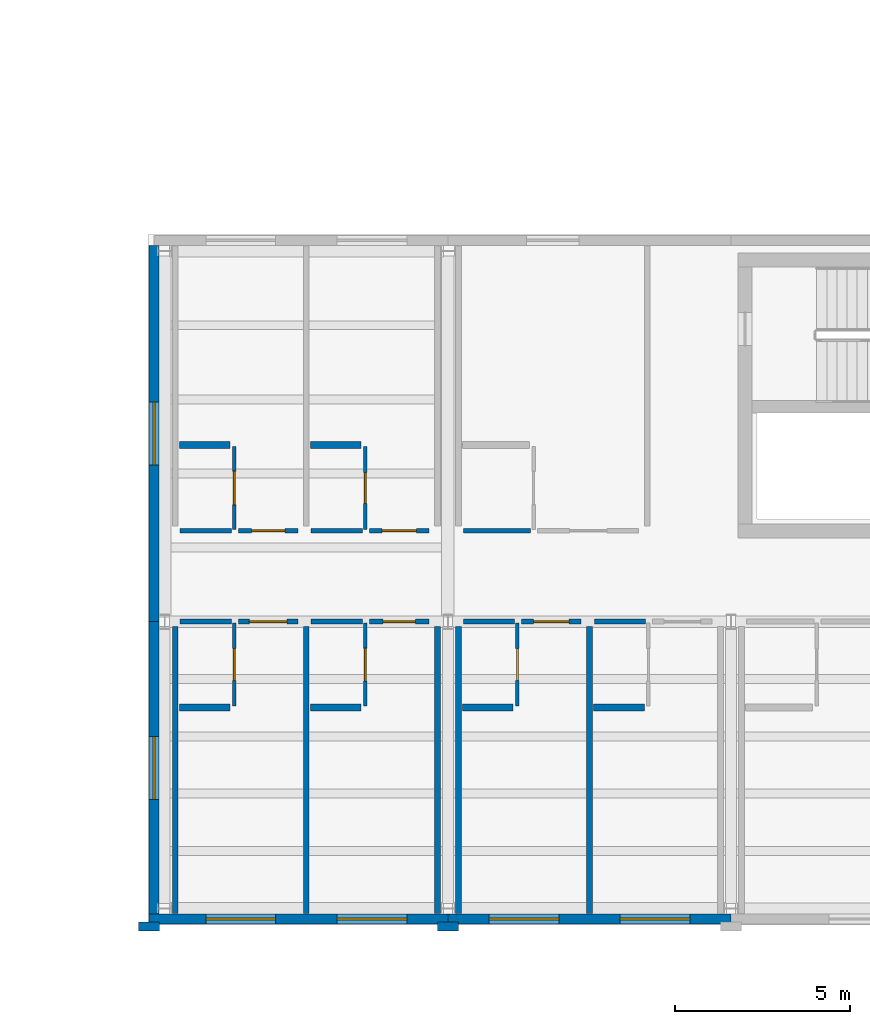
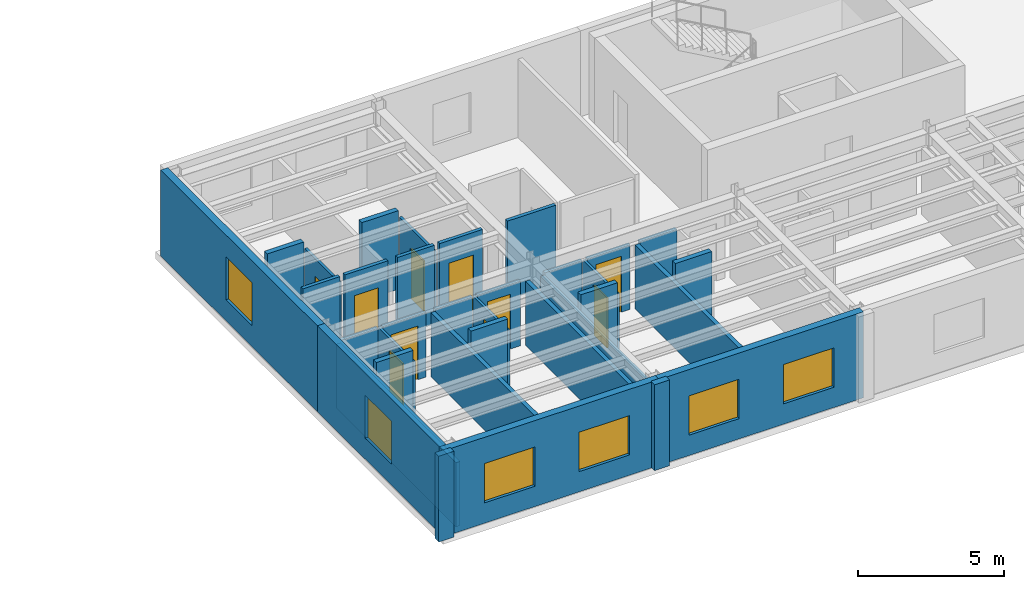
# One storey, part 14 of 34: 34 walls, 10 doors, 6 windows, 16 openings.
"""IFC4 building model written with IfcOpenShell, lengths in metres."""

from ifc_helpers import new_model, si_unit, direction, frame, frame_2d, origin, place, context, subcontext, project, spatial, rectangle, extrude, material, layer, layer_set, type_object, element, fill, save


model = new_model("IFC4")

# Units and contexts
model_context = context("Model", 3, precision=1e-05, world=origin(), true_north=direction((0.0, 1.0)))
body_context = subcontext(model_context, "Body", "Model", "MODEL_VIEW")
ifc_project = project(units=[si_unit("LENGTHUNIT", "METRE"), si_unit("AREAUNIT", "SQUARE_METRE"), si_unit("VOLUMEUNIT", "CUBIC_METRE"), si_unit("PLANEANGLEUNIT", "RADIAN"), si_unit("MASSUNIT", "GRAM", prefix="KILO")], contexts=[model_context])

# Site, building, storey
site_placement = place(None, origin())
site = spatial("IfcSite", under=ifc_project, at=site_placement, CompositionType="ELEMENT")
building_placement = place(site_placement, origin())
building = spatial("IfcBuilding", under=site, at=building_placement, Name="Sollismere Congress Hotel", CompositionType="ELEMENT")
storey_placement = place(building_placement, frame((0.0, 0.0, 23.39990234375)))
storey = spatial("IfcBuildingStorey", under=building, at=storey_placement, Name="L05", CompositionType="ELEMENT", Elevation=23.39990234375)

# Wall, openings, windows
ifc_material_1 = material(Name="Colorado Buff Sandstone Rainscreen on Insulated Backup", Category="masonry")
ifc_layer_1 = layer(ifc_material_1, 0.284912109375, Name="Colorado Buff Sandstone Rainscreen on Insulated Backup")
ifc_layer_set_1 = layer_set([ifc_layer_1], Name="Colorado Buff Sandstone Rainscreen on Insulated Backup")
wall_type_1 = type_object("IfcWallType", Name="WL-EXT285", PredefinedType="STANDARD", material=ifc_layer_set_1)
wall_1_placement = place(storey_placement, frame((33.75, -0.31005859375, 0.0), z_axis=(0.0, 0.0, 1.0), x_axis=(1.0, 0.0, 0.0)))
wall_1 = element("IfcWall", 1, at=wall_1_placement, inside=storey, type_object=wall_type_1, Name="Exterior wall EW-L05-565", PredefinedType="STANDARD", context=body_context, shape_type="SweptSolid", body=[
    extrude(rectangle(XDim=8.550048828125, YDim=0.284912109375, at=frame_2d((4.27490234375, 0.0))), origin(), (0.0, 0.0, 1.0), 3.60009765625),
])
opening_1_placement = place(wall_1_placement, frame((1.625, 0.0, 0.85009765625)))
opening_1 = element("IfcOpeningElement", 2, at=opening_1_placement, cuts=wall_1, Name="Opening W-L05-425", PredefinedType="OPENING", context=body_context, shape_type="SweptSolid", body=[
    extrude(rectangle(XDim=2.0, YDim=1.64990234375, at=frame_2d((1.0, 0.824951171875))), frame((0.0, 0.15234375, 0.0), z_axis=(0.0, -1.0, 0.0), x_axis=(1.0, 0.0, 0.0)), (0.0, 0.0, 1.0), 0.304931640625),
])
opening_2_placement = place(wall_1_placement, frame((5.375, 0.0, 0.85009765625)))
opening_2 = element("IfcOpeningElement", 3, at=opening_2_placement, cuts=wall_1, Name="Opening W-L05-426", PredefinedType="OPENING", context=body_context, shape_type="SweptSolid", body=[
    extrude(rectangle(XDim=2.0, YDim=1.64990234375, at=frame_2d((1.0, 0.824951171875))), frame((0.0, 0.15234375, 0.0), z_axis=(0.0, -1.0, 0.0), x_axis=(1.0, 0.0, 0.0)), (0.0, 0.0, 1.0), 0.304931640625),
])
ifc_material_2 = material(Name="Thermally Broken Bronze Aluminum & Low-E Glass", Category="aluminium")
window_type_1 = type_object("IfcWindowType", Name="WN-P200x165", PartitioningType="SINGLE_PANEL", PredefinedType="WINDOW", material=ifc_material_2)
window_1_placement = place(opening_1_placement, origin())
window_1 = element("IfcWindow", 4, at=window_1_placement, inside=storey, type_object=window_type_1, Name="WIN-W-L05-425", OverallHeight=1.64990234375, OverallWidth=2.0, PartitioningType="SINGLE_PANEL", PredefinedType="WINDOW", context=body_context, shape_type="SweptSolid", body=[
    extrude(rectangle(XDim=2.0, YDim=1.64990234375, at=frame_2d((1.0, 0.824951171875))), frame((0.0, 0.030029296875, 0.0), z_axis=(0.0, -1.0, 0.0), x_axis=(1.0, 0.0, 0.0)), (0.0, 0.0, 1.0), 0.06005859375),
])
fill(opening_1, window_1)
window_2_placement = place(opening_2_placement, origin())
window_2 = element("IfcWindow", 5, at=window_2_placement, inside=storey, type_object=window_type_1, Name="WIN-W-L05-426", OverallHeight=1.64990234375, OverallWidth=2.0, PartitioningType="SINGLE_PANEL", PredefinedType="WINDOW", context=body_context, shape_type="SweptSolid", body=[
    extrude(rectangle(XDim=2.0, YDim=1.64990234375, at=frame_2d((1.0, 0.824951171875))), frame((0.0, 0.030029296875, 0.0), z_axis=(0.0, -1.0, 0.0), x_axis=(1.0, 0.0, 0.0)), (0.0, 0.0, 1.0), 0.06005859375),
])
fill(opening_2, window_2)

wall_2_placement = place(storey_placement, frame((42.300048828125, -0.31005859375, 0.0), z_axis=(0.0, 0.0, 1.0), x_axis=(1.0, 0.0, 0.0)))
wall_2 = element("IfcWall", 6, at=wall_2_placement, inside=storey, type_object=wall_type_1, Name="Exterior wall EW-L05-567", PredefinedType="STANDARD", context=body_context, shape_type="SweptSolid", body=[
    extrude(rectangle(XDim=8.099853515625, YDim=0.284912109375, at=frame_2d((4.0498046875, 0.0))), origin(), (0.0, 0.0, 1.0), 3.60009765625),
])
opening_3_placement = place(wall_2_placement, frame((1.175048828125, 0.0, 0.85009765625)))
opening_3 = element("IfcOpeningElement", 7, at=opening_3_placement, cuts=wall_2, Name="Opening W-L05-427", PredefinedType="OPENING", context=body_context, shape_type="SweptSolid", body=[
    extrude(rectangle(XDim=2.0, YDim=1.64990234375, at=frame_2d((1.0, 0.824951171875))), frame((0.0, 0.15234375, 0.0), z_axis=(0.0, -1.0, 0.0), x_axis=(1.0, 0.0, 0.0)), (0.0, 0.0, 1.0), 0.304931640625),
])
opening_4_placement = place(wall_2_placement, frame((4.925048828125, 0.0, 0.85009765625)))
opening_4 = element("IfcOpeningElement", 8, at=opening_4_placement, cuts=wall_2, Name="Opening W-L05-428", PredefinedType="OPENING", context=body_context, shape_type="SweptSolid", body=[
    extrude(rectangle(XDim=2.0, YDim=1.64990234375, at=frame_2d((1.0, 0.824951171875))), frame((0.0, 0.15234375, 0.0), z_axis=(0.0, -1.0, 0.0), x_axis=(1.0, 0.0, 0.0)), (0.0, 0.0, 1.0), 0.304931640625),
])
window_3_placement = place(opening_3_placement, origin())
window_3 = element("IfcWindow", 9, at=window_3_placement, inside=storey, type_object=window_type_1, Name="WIN-W-L05-427", OverallHeight=1.64990234375, OverallWidth=2.0, PartitioningType="SINGLE_PANEL", PredefinedType="WINDOW", context=body_context, shape_type="SweptSolid", body=[
    extrude(rectangle(XDim=2.0, YDim=1.64990234375, at=frame_2d((1.0, 0.824951171875))), frame((0.0, 0.030029296875, 0.0), z_axis=(0.0, -1.0, 0.0), x_axis=(1.0, 0.0, 0.0)), (0.0, 0.0, 1.0), 0.06005859375),
])
fill(opening_3, window_3)
window_4_placement = place(opening_4_placement, origin())
window_4 = element("IfcWindow", 10, at=window_4_placement, inside=storey, type_object=window_type_1, Name="WIN-W-L05-428", OverallHeight=1.64990234375, OverallWidth=2.0, PartitioningType="SINGLE_PANEL", PredefinedType="WINDOW", context=body_context, shape_type="SweptSolid", body=[
    extrude(rectangle(XDim=2.0, YDim=1.64990234375, at=frame_2d((1.0, 0.824951171875))), frame((0.0, 0.030029296875, 0.0), z_axis=(0.0, -1.0, 0.0), x_axis=(1.0, 0.0, 0.0)), (0.0, 0.0, 1.0), 0.06005859375),
])
fill(opening_4, window_4)

# Wall, opening, window
wall_3_placement = place(storey_placement, frame((33.889892578125, 8.199951171875, 0.0), z_axis=(0.0, 0.0, 1.0), x_axis=(0.0, -1.0, 0.0)))
wall_3 = element("IfcWall", 11, at=wall_3_placement, inside=storey, type_object=wall_type_1, Name="Exterior wall EW-L05-648", PredefinedType="STANDARD", context=body_context, shape_type="SweptSolid", body=[
    extrude(rectangle(XDim=8.365478515625, YDim=0.284912109375, at=frame_2d((4.1826171875, 0.0))), origin(), (0.0, 0.0, 1.0), 3.60009765625),
])
opening_5_placement = place(wall_3_placement, frame((3.28271484375, 0.0, 0.8798828125)))
opening_5 = element("IfcOpeningElement", 12, at=opening_5_placement, cuts=wall_3, Name="Opening W-L05-479", PredefinedType="OPENING", context=body_context, shape_type="SweptSolid", body=[
    extrude(rectangle(XDim=1.800048828125, YDim=1.800048828125, at=frame_2d((0.89990234375, 0.89990234375))), frame((0.0, 0.15234375, 0.0), z_axis=(0.0, -1.0, 0.0), x_axis=(1.0, 0.0, 0.0)), (0.0, 0.0, 1.0), 0.304931640625),
])
window_type_2 = type_object("IfcWindowType", Name="WN-P180x180", PartitioningType="SINGLE_PANEL", PredefinedType="WINDOW", material=ifc_material_2)
window_5_placement = place(opening_5_placement, origin())
window_5 = element("IfcWindow", 13, at=window_5_placement, inside=storey, type_object=window_type_2, Name="WIN-W-L05-479", OverallHeight=1.800048828125, OverallWidth=1.800048828125, PartitioningType="SINGLE_PANEL", PredefinedType="WINDOW", context=body_context, shape_type="SweptSolid", body=[
    extrude(rectangle(XDim=1.800048828125, YDim=1.800048828125, at=frame_2d((0.89990234375, 0.89990234375))), frame((0.0, 0.030029296875, 0.0), z_axis=(0.0, -1.0, 0.0), x_axis=(1.0, 0.0, 0.0)), (0.0, 0.0, 1.0), 0.06005859375),
])
fill(opening_5, window_5)

wall_4_placement = place(storey_placement, frame((33.889892578125, 18.965576171875, 0.0), z_axis=(0.0, 0.0, 1.0), x_axis=(0.0, -1.0, 0.0)))
wall_4 = element("IfcWall", 14, at=wall_4_placement, inside=storey, type_object=wall_type_1, Name="Exterior wall EW-L05-649", PredefinedType="STANDARD", context=body_context, shape_type="SweptSolid", body=[
    extrude(rectangle(XDim=10.765625, YDim=0.284912109375, at=frame_2d((5.3828125, 0.0))), origin(), (0.0, 0.0, 1.0), 3.60009765625),
])
opening_6_placement = place(wall_4_placement, frame((4.482666015625, 0.0, 0.8798828125)))
opening_6 = element("IfcOpeningElement", 15, at=opening_6_placement, cuts=wall_4, Name="Opening W-L05-480", PredefinedType="OPENING", context=body_context, shape_type="SweptSolid", body=[
    extrude(rectangle(XDim=1.800048828125, YDim=1.800048828125, at=frame_2d((0.89990234375, 0.89990234375))), frame((0.0, 0.15234375, 0.0), z_axis=(0.0, -1.0, 0.0), x_axis=(1.0, 0.0, 0.0)), (0.0, 0.0, 1.0), 0.304931640625),
])
window_6_placement = place(opening_6_placement, origin())
window_6 = element("IfcWindow", 16, at=window_6_placement, inside=storey, type_object=window_type_2, Name="WIN-W-L05-480", OverallHeight=1.800048828125, OverallWidth=1.800048828125, PartitioningType="SINGLE_PANEL", PredefinedType="WINDOW", context=body_context, shape_type="SweptSolid", body=[
    extrude(rectangle(XDim=1.800048828125, YDim=1.800048828125, at=frame_2d((0.89990234375, 0.89990234375))), frame((0.0, 0.030029296875, 0.0), z_axis=(0.0, -1.0, 0.0), x_axis=(1.0, 0.0, 0.0)), (0.0, 0.0, 1.0), 0.06005859375),
])
fill(opening_6, window_6)

# Walls
ifc_material_3 = material(Name="Carved Travertine Pilaster & Frieze Assembly", Category="masonry")
ifc_layer_2 = layer(ifc_material_3, 0.260009765625, Name="Carved Travertine Pilaster & Frieze Assembly")
ifc_layer_set_2 = layer_set([ifc_layer_2], Name="Carved Travertine Pilaster & Frieze Assembly")
wall_type_2 = type_object("IfcWallType", Name="WL-PIL280", PredefinedType="ELEMENTEDWALL", material=ifc_layer_set_2)
for number, where, z_axis, x_axis, name in (
    (17, (33.449951171875, -0.52001953125, 0.0), (0.0, 0.0, 1.0), (1.0, 0.0, 0.0), "Exterior wall EW-L05-566"),
    (18, (42.0, -0.52001953125, 0.0), (0.0, 0.0, 1.0), (1.0, 0.0, 0.0), "Exterior wall EW-L05-568"),
):
    element("IfcWall", number, at=place(storey_placement, frame(where, z_axis=z_axis, x_axis=x_axis)), inside=storey, type_object=wall_type_2, Name=name, PredefinedType="ELEMENTEDWALL", context=body_context, shape_type="SweptSolid", body=[
        extrude(rectangle(XDim=0.60009765625, YDim=0.260009765625, at=frame_2d((0.300048828125, 0.0))), origin(), (0.0, 0.0, 1.0), 3.60009765625),
    ])
ifc_material_4 = material(Name="Moisture-Resistant Shaft Gypsum Assembly")
ifc_layer_3 = layer(ifc_material_4, 0.199951171875, Name="Moisture-Resistant Shaft Gypsum Assembly")
ifc_layer_set_3 = layer_set([ifc_layer_3], Name="Moisture-Resistant Shaft Gypsum Assembly")
wall_type_3 = type_object("IfcWallType", Name="WL-PLM200", PredefinedType="PLUMBINGWALL", material=ifc_layer_set_3)
for number, where, z_axis, x_axis, name in (
    (19, (34.6201171875, 5.75, 0.0), (0.0, 0.0, 1.0), (1.0, 0.0, 0.0), "Interior wall IW-L05-1726"),
    (20, (38.3701171875, 5.75, 0.0), (0.0, 0.0, 1.0), (1.0, 0.0, 0.0), "Interior wall IW-L05-1731"),
    (21, (34.6201171875, 13.25, 0.0), (0.0, 0.0, 1.0), (1.0, 0.0, 0.0), "Interior wall IW-L05-1737"),
    (22, (38.3701171875, 13.25, 0.0), (0.0, 0.0, 1.0), (1.0, 0.0, 0.0), "Interior wall IW-L05-1742"),
    (23, (42.719970703125, 5.75, 0.0), (0.0, 0.0, 1.0), (1.0, 0.0, 0.0), "Interior wall IW-L05-1748"),
    (24, (46.469970703125, 5.75, 0.0), (0.0, 0.0, 1.0), (1.0, 0.0, 0.0), "Interior wall IW-L05-1753"),
):
    element("IfcWall", number, at=place(storey_placement, frame(where, z_axis=z_axis, x_axis=x_axis)), inside=storey, type_object=wall_type_3, Name=name, PredefinedType="PLUMBINGWALL", context=body_context, shape_type="SweptSolid", body=[
        extrude(rectangle(XDim=1.447998046875, YDim=0.199951171875, at=frame_2d((0.72412109375, 0.0))), origin(), (0.0, 0.0, 1.0), 3.300048828125),
    ])

# Wall, opening, door
ifc_material_5 = material(Name="Moisture-Resistant Gypsum Partition")
ifc_layer_4 = layer(ifc_material_5, 0.10009765625, Name="Moisture-Resistant Gypsum Partition")
ifc_layer_set_4 = layer_set([ifc_layer_4], Name="Moisture-Resistant Gypsum Partition")
wall_type_4 = type_object("IfcWallType", Name="WL-PRT100", PredefinedType="PARTITIONING", material=ifc_layer_set_4)
wall_5_placement = place(storey_placement, frame((36.18798828125, 5.7900390625, 0.0), z_axis=(0.0, 0.0, 1.0), x_axis=(0.0, 1.0, 0.0)))
wall_5 = element("IfcWall", 25, at=wall_5_placement, inside=storey, type_object=wall_type_4, Name="Interior wall IW-L05-1725", PredefinedType="PARTITIONING", context=body_context, shape_type="SweptSolid", body=[
    extrude(rectangle(XDim=2.369873046875, YDim=0.10009765625, at=frame_2d((1.18505859375, 0.0))), origin(), (0.0, 0.0, 1.0), 2.713134765625),
])
opening_7_placement = place(wall_5_placement, frame((0.73291015625, 0.0, 0.0)))
opening_7 = element("IfcOpeningElement", 26, at=opening_7_placement, cuts=wall_5, Name="Opening D-L05-0608", PredefinedType="OPENING", context=body_context, shape_type="SweptSolid", body=[
    extrude(rectangle(XDim=0.905029296875, YDim=2.179931640625, at=frame_2d((0.45263671875, 1.08984375))), frame((0.0, 0.06005859375, 0.0), z_axis=(0.0, -1.0, 0.0), x_axis=(1.0, 0.0, 0.0)), (0.0, 0.0, 1.0), 0.1201171875),
])
ifc_material_6 = material(Name="Moisture-Sealed Timber Bathroom Door", Category="wood")
door_type_1 = type_object("IfcDoorType", Name="DR-BT06", OperationType="NOTDEFINED", PredefinedType="DOOR", material=ifc_material_6)
door_1_placement = place(opening_7_placement, origin())
door_1 = element("IfcDoor", 27, at=door_1_placement, inside=storey, type_object=door_type_1, Name="En-suite bathroom door D-L05-0608", OperationType="SINGLE_SWING_LEFT", OverallHeight=2.179931640625, OverallWidth=0.905029296875, PredefinedType="DOOR", context=body_context, shape_type="SweptSolid", body=[
    extrude(rectangle(XDim=0.905029296875, YDim=2.179931640625, at=frame_2d((0.45263671875, 1.08984375))), frame((0.0, 0.02490234375, 0.0), z_axis=(0.0, -1.0, 0.0), x_axis=(1.0, 0.0, 0.0)), (0.0, 0.0, 1.0), 0.050048828125),
])
fill(opening_7, door_1)

wall_6_placement = place(storey_placement, frame((39.93798828125, 5.7900390625, 0.0), z_axis=(0.0, 0.0, 1.0), x_axis=(0.0, 1.0, 0.0)))
wall_6 = element("IfcWall", 28, at=wall_6_placement, inside=storey, type_object=wall_type_4, Name="Interior wall IW-L05-1730", PredefinedType="PARTITIONING", context=body_context, shape_type="SweptSolid", body=[
    extrude(rectangle(XDim=2.369873046875, YDim=0.10009765625, at=frame_2d((1.18505859375, 0.0))), origin(), (0.0, 0.0, 1.0), 2.713134765625),
])
opening_8_placement = place(wall_6_placement, frame((0.719970703125, 0.0, 0.0)))
opening_8 = element("IfcOpeningElement", 29, at=opening_8_placement, cuts=wall_6, Name="Opening D-L05-0610", PredefinedType="OPENING", context=body_context, shape_type="SweptSolid", body=[
    extrude(rectangle(XDim=0.929931640625, YDim=2.219970703125, at=frame_2d((0.46484375, 1.10986328125))), frame((0.0, 0.06005859375, 0.0), z_axis=(0.0, -1.0, 0.0), x_axis=(1.0, 0.0, 0.0)), (0.0, 0.0, 1.0), 0.1201171875),
])
door_type_2 = type_object("IfcDoorType", Name="DR-BT07", OperationType="NOTDEFINED", PredefinedType="DOOR", material=ifc_material_6)
door_2_placement = place(opening_8_placement, origin())
door_2 = element("IfcDoor", 30, at=door_2_placement, inside=storey, type_object=door_type_2, Name="En-suite bathroom door D-L05-0610", OperationType="SINGLE_SWING_LEFT", OverallHeight=2.219970703125, OverallWidth=0.929931640625, PredefinedType="DOOR", context=body_context, shape_type="SweptSolid", body=[
    extrude(rectangle(XDim=0.929931640625, YDim=2.219970703125, at=frame_2d((0.46484375, 1.10986328125))), frame((0.0, 0.02490234375, 0.0), z_axis=(0.0, -1.0, 0.0), x_axis=(1.0, 0.0, 0.0)), (0.0, 0.0, 1.0), 0.050048828125),
])
fill(opening_8, door_2)

wall_7_placement = place(storey_placement, frame((36.18798828125, 10.840087890625, 0.0), z_axis=(0.0, 0.0, 1.0), x_axis=(0.0, 1.0, 0.0)))
wall_7 = element("IfcWall", 31, at=wall_7_placement, inside=storey, type_object=wall_type_4, Name="Interior wall IW-L05-1736", PredefinedType="PARTITIONING", context=body_context, shape_type="SweptSolid", body=[
    extrude(rectangle(XDim=2.369873046875, YDim=0.10009765625, at=frame_2d((1.18505859375, 0.0))), origin(), (0.0, 0.0, 1.0), 2.968994140625),
])
opening_9_placement = place(wall_7_placement, frame((0.7080078125, 0.0, 0.0)))
opening_9 = element("IfcOpeningElement", 32, at=opening_9_placement, cuts=wall_7, Name="Opening D-L05-0612", PredefinedType="OPENING", context=body_context, shape_type="SweptSolid", body=[
    extrude(rectangle(XDim=0.955078125, YDim=2.219970703125, at=frame_2d((0.4775390625, 1.10986328125))), frame((0.0, 0.06005859375, 0.0), z_axis=(0.0, -1.0, 0.0), x_axis=(1.0, 0.0, 0.0)), (0.0, 0.0, 1.0), 0.1201171875),
])
door_type_3 = type_object("IfcDoorType", Name="DR-BT08", OperationType="NOTDEFINED", PredefinedType="DOOR", material=ifc_material_6)
door_3_placement = place(opening_9_placement, origin())
door_3 = element("IfcDoor", 33, at=door_3_placement, inside=storey, type_object=door_type_3, Name="En-suite bathroom door D-L05-0612", OperationType="SINGLE_SWING_LEFT", OverallHeight=2.219970703125, OverallWidth=0.955078125, PredefinedType="DOOR", context=body_context, shape_type="SweptSolid", body=[
    extrude(rectangle(XDim=0.955078125, YDim=2.219970703125, at=frame_2d((0.4775390625, 1.10986328125))), frame((0.0, 0.02490234375, 0.0), z_axis=(0.0, -1.0, 0.0), x_axis=(1.0, 0.0, 0.0)), (0.0, 0.0, 1.0), 0.050048828125),
])
fill(opening_9, door_3)

wall_8_placement = place(storey_placement, frame((39.93798828125, 10.840087890625, 0.0), z_axis=(0.0, 0.0, 1.0), x_axis=(0.0, 1.0, 0.0)))
wall_8 = element("IfcWall", 34, at=wall_8_placement, inside=storey, type_object=wall_type_4, Name="Interior wall IW-L05-1741", PredefinedType="PARTITIONING", context=body_context, shape_type="SweptSolid", body=[
    extrude(rectangle(XDim=2.369873046875, YDim=0.10009765625, at=frame_2d((1.18505859375, 0.0))), origin(), (0.0, 0.0, 1.0), 2.968994140625),
])
opening_10_placement = place(wall_8_placement, frame((0.7451171875, 0.0, 0.0)))
opening_10 = element("IfcOpeningElement", 35, at=opening_10_placement, cuts=wall_8, Name="Opening D-L05-0614", PredefinedType="OPENING", context=body_context, shape_type="SweptSolid", body=[
    extrude(rectangle(XDim=0.8798828125, YDim=2.10009765625, at=frame_2d((0.43994140625, 1.050048828125))), frame((0.0, 0.06005859375, 0.0), z_axis=(0.0, -1.0, 0.0), x_axis=(1.0, 0.0, 0.0)), (0.0, 0.0, 1.0), 0.1201171875),
])
door_type_4 = type_object("IfcDoorType", Name="DR-BT01", OperationType="NOTDEFINED", PredefinedType="DOOR", material=ifc_material_6)
door_4_placement = place(opening_10_placement, origin())
door_4 = element("IfcDoor", 36, at=door_4_placement, inside=storey, type_object=door_type_4, Name="En-suite bathroom door D-L05-0614", OperationType="SINGLE_SWING_LEFT", OverallHeight=2.10009765625, OverallWidth=0.8798828125, PredefinedType="DOOR", context=body_context, shape_type="SweptSolid", body=[
    extrude(rectangle(XDim=0.8798828125, YDim=2.10009765625, at=frame_2d((0.43994140625, 1.050048828125))), frame((0.0, 0.02490234375, 0.0), z_axis=(0.0, -1.0, 0.0), x_axis=(1.0, 0.0, 0.0)), (0.0, 0.0, 1.0), 0.050048828125),
])
fill(opening_10, door_4)

wall_9_placement = place(storey_placement, frame((44.2880859375, 5.7900390625, 0.0), z_axis=(0.0, 0.0, 1.0), x_axis=(0.0, 1.0, 0.0)))
wall_9 = element("IfcWall", 37, at=wall_9_placement, inside=storey, type_object=wall_type_4, Name="Interior wall IW-L05-1747", PredefinedType="PARTITIONING", context=body_context, shape_type="SweptSolid", body=[
    extrude(rectangle(XDim=2.369873046875, YDim=0.10009765625, at=frame_2d((1.18505859375, 0.0))), origin(), (0.0, 0.0, 1.0), 2.713134765625),
])
opening_11_placement = place(wall_9_placement, frame((0.73291015625, 0.0, 0.0)))
opening_11 = element("IfcOpeningElement", 38, at=opening_11_placement, cuts=wall_9, Name="Opening D-L05-0616", PredefinedType="OPENING", context=body_context, shape_type="SweptSolid", body=[
    extrude(rectangle(XDim=0.905029296875, YDim=2.10009765625, at=frame_2d((0.45263671875, 1.050048828125))), frame((0.0, 0.06005859375, 0.0), z_axis=(0.0, -1.0, 0.0), x_axis=(1.0, 0.0, 0.0)), (0.0, 0.0, 1.0), 0.1201171875),
])
door_type_5 = type_object("IfcDoorType", Name="DR-BT02", OperationType="NOTDEFINED", PredefinedType="DOOR", material=ifc_material_6)
door_5_placement = place(opening_11_placement, origin())
door_5 = element("IfcDoor", 39, at=door_5_placement, inside=storey, type_object=door_type_5, Name="En-suite bathroom door D-L05-0616", OperationType="SINGLE_SWING_LEFT", OverallHeight=2.10009765625, OverallWidth=0.905029296875, PredefinedType="DOOR", context=body_context, shape_type="SweptSolid", body=[
    extrude(rectangle(XDim=0.905029296875, YDim=2.10009765625, at=frame_2d((0.45263671875, 1.050048828125))), frame((0.0, 0.02490234375, 0.0), z_axis=(0.0, -1.0, 0.0), x_axis=(1.0, 0.0, 0.0)), (0.0, 0.0, 1.0), 0.050048828125),
])
fill(opening_11, door_5)

# Wall
ifc_material_7 = material(Name="Fire-Rated Gypsum Partition")
ifc_layer_5 = layer(ifc_material_7, 0.139892578125, Name="Fire-Rated Gypsum Partition")
ifc_layer_set_5 = layer_set([ifc_layer_5], Name="Fire-Rated Gypsum Partition")
wall_type_5 = type_object("IfcWallType", Name="WL-PRT140R", PredefinedType="PARTITIONING", material=ifc_layer_set_5)
wall_10_placement = place(storey_placement, frame((34.639892578125, 8.199951171875, 0.0), z_axis=(0.0, 0.0, 1.0), x_axis=(1.0, 0.0, 0.0)))
element("IfcWall", 40, at=wall_10_placement, inside=storey, type_object=wall_type_5, Name="Interior wall IW-L05-1721", PredefinedType="PARTITIONING", context=body_context, shape_type="SweptSolid", body=[
    extrude(rectangle(XDim=1.468017578125, YDim=0.139892578125, at=frame_2d((0.73388671875, 0.0))), origin(), (0.0, 0.0, 1.0), 2.713134765625),
])

# Wall, opening, door
wall_11_placement = place(storey_placement, frame((36.30810546875, 8.199951171875, 0.0), z_axis=(0.0, 0.0, 1.0), x_axis=(1.0, 0.0, 0.0)))
wall_11 = element("IfcWall", 41, at=wall_11_placement, inside=storey, type_object=wall_type_5, Name="Interior wall IW-L05-1722", PredefinedType="PARTITIONING", context=body_context, shape_type="SweptSolid", body=[
    extrude(rectangle(XDim=1.701904296875, YDim=0.139892578125, at=frame_2d((0.85107421875, 0.0))), origin(), (0.0, 0.0, 1.0), 2.713134765625),
])
opening_12_placement = place(wall_11_placement, frame((0.31591796875, 0.0, 0.0)))
opening_12 = element("IfcOpeningElement", 42, at=opening_12_placement, cuts=wall_11, Name="Opening D-L05-0607", PredefinedType="OPENING", context=body_context, shape_type="SweptSolid", body=[
    extrude(rectangle(XDim=1.070068359375, YDim=2.25, at=frame_2d((0.53515625, 1.125))), frame((0.0, 0.079833984375, 0.0), z_axis=(0.0, -1.0, 0.0), x_axis=(1.0, 0.0, 0.0)), (0.0, 0.0, 1.0), 0.159912109375),
])
ifc_material_8 = material(Name="Solid-Core Acoustic Walnut Guestroom Entry Door")
door_type_6 = type_object("IfcDoorType", Name="DR-KY06", OperationType="NOTDEFINED", PredefinedType="DOOR", material=ifc_material_8)
door_6_placement = place(opening_12_placement, origin())
door_6 = element("IfcDoor", 43, at=door_6_placement, inside=storey, type_object=door_type_6, Name="Hotel room entry door D-L05-0607", OperationType="SINGLE_SWING_RIGHT", OverallHeight=2.25, OverallWidth=1.070068359375, PredefinedType="DOOR", context=body_context, shape_type="SweptSolid", body=[
    extrude(rectangle(XDim=1.070068359375, YDim=2.25, at=frame_2d((0.53515625, 1.125))), frame((0.0, 0.02490234375, 0.0), z_axis=(0.0, -1.0, 0.0), x_axis=(1.0, 0.0, 0.0)), (0.0, 0.0, 1.0), 0.050048828125),
])
fill(opening_12, door_6)

# Wall
wall_12_placement = place(storey_placement, frame((38.389892578125, 8.199951171875, 0.0), z_axis=(0.0, 0.0, 1.0), x_axis=(1.0, 0.0, 0.0)))
element("IfcWall", 44, at=wall_12_placement, inside=storey, type_object=wall_type_5, Name="Interior wall IW-L05-1727", PredefinedType="PARTITIONING", context=body_context, shape_type="SweptSolid", body=[
    extrude(rectangle(XDim=1.468017578125, YDim=0.139892578125, at=frame_2d((0.73388671875, 0.0))), origin(), (0.0, 0.0, 1.0), 2.713134765625),
])

# Wall, opening, door
wall_13_placement = place(storey_placement, frame((40.05810546875, 8.199951171875, 0.0), z_axis=(0.0, 0.0, 1.0), x_axis=(1.0, 0.0, 0.0)))
wall_13 = element("IfcWall", 45, at=wall_13_placement, inside=storey, type_object=wall_type_5, Name="Interior wall IW-L05-1728", PredefinedType="PARTITIONING", context=body_context, shape_type="SweptSolid", body=[
    extrude(rectangle(XDim=1.701904296875, YDim=0.139892578125, at=frame_2d((0.85107421875, 0.0))), origin(), (0.0, 0.0, 1.0), 2.713134765625),
])
opening_13_placement = place(wall_13_placement, frame((0.39111328125, 0.0, 0.0)))
opening_13 = element("IfcOpeningElement", 46, at=opening_13_placement, cuts=wall_13, Name="Opening D-L05-0609", PredefinedType="OPENING", context=body_context, shape_type="SweptSolid", body=[
    extrude(rectangle(XDim=0.919921875, YDim=2.300048828125, at=frame_2d((0.4599609375, 1.14990234375))), frame((0.0, 0.079833984375, 0.0), z_axis=(0.0, -1.0, 0.0), x_axis=(1.0, 0.0, 0.0)), (0.0, 0.0, 1.0), 0.159912109375),
])
door_type_7 = type_object("IfcDoorType", Name="DR-KY07", OperationType="NOTDEFINED", PredefinedType="DOOR", material=ifc_material_8)
door_7_placement = place(opening_13_placement, origin())
door_7 = element("IfcDoor", 47, at=door_7_placement, inside=storey, type_object=door_type_7, Name="Hotel room entry door D-L05-0609", OperationType="SINGLE_SWING_RIGHT", OverallHeight=2.300048828125, OverallWidth=0.919921875, PredefinedType="DOOR", context=body_context, shape_type="SweptSolid", body=[
    extrude(rectangle(XDim=0.919921875, YDim=2.300048828125, at=frame_2d((0.4599609375, 1.14990234375))), frame((0.0, 0.02490234375, 0.0), z_axis=(0.0, -1.0, 0.0), x_axis=(1.0, 0.0, 0.0)), (0.0, 0.0, 1.0), 0.050048828125),
])
fill(opening_13, door_7)

# Wall
wall_14_placement = place(storey_placement, frame((34.639892578125, 10.800048828125, 0.0), z_axis=(0.0, 0.0, 1.0), x_axis=(1.0, 0.0, 0.0)))
element("IfcWall", 48, at=wall_14_placement, inside=storey, type_object=wall_type_5, Name="Interior wall IW-L05-1732", PredefinedType="PARTITIONING", context=body_context, shape_type="SweptSolid", body=[
    extrude(rectangle(XDim=1.468017578125, YDim=0.139892578125, at=frame_2d((0.73388671875, 0.0))), origin(), (0.0, 0.0, 1.0), 3.300048828125),
])

# Wall, opening, door
wall_15_placement = place(storey_placement, frame((36.30810546875, 10.800048828125, 0.0), z_axis=(0.0, 0.0, 1.0), x_axis=(1.0, 0.0, 0.0)))
wall_15 = element("IfcWall", 49, at=wall_15_placement, inside=storey, type_object=wall_type_5, Name="Interior wall IW-L05-1733", PredefinedType="PARTITIONING", context=body_context, shape_type="SweptSolid", body=[
    extrude(rectangle(XDim=1.701904296875, YDim=0.139892578125, at=frame_2d((0.85107421875, 0.0))), origin(), (0.0, 0.0, 1.0), 3.300048828125),
])
opening_14_placement = place(wall_15_placement, frame((0.3759765625, 0.0, 0.0)))
opening_14 = element("IfcOpeningElement", 50, at=opening_14_placement, cuts=wall_15, Name="Opening D-L05-0611", PredefinedType="OPENING", context=body_context, shape_type="SweptSolid", body=[
    extrude(rectangle(XDim=0.949951171875, YDim=2.300048828125, at=frame_2d((0.47509765625, 1.14990234375))), frame((0.0, 0.079833984375, 0.0), z_axis=(0.0, -1.0, 0.0), x_axis=(1.0, 0.0, 0.0)), (0.0, 0.0, 1.0), 0.159912109375),
])
door_type_8 = type_object("IfcDoorType", Name="DR-KY08", OperationType="NOTDEFINED", PredefinedType="DOOR", material=ifc_material_8)
door_8_placement = place(opening_14_placement, origin())
door_8 = element("IfcDoor", 51, at=door_8_placement, inside=storey, type_object=door_type_8, Name="Hotel room entry door D-L05-0611", OperationType="SINGLE_SWING_RIGHT", OverallHeight=2.300048828125, OverallWidth=0.949951171875, PredefinedType="DOOR", context=body_context, shape_type="SweptSolid", body=[
    extrude(rectangle(XDim=0.949951171875, YDim=2.300048828125, at=frame_2d((0.47509765625, 1.14990234375))), frame((0.0, 0.02490234375, 0.0), z_axis=(0.0, -1.0, 0.0), x_axis=(1.0, 0.0, 0.0)), (0.0, 0.0, 1.0), 0.050048828125),
])
fill(opening_14, door_8)

# Wall
wall_16_placement = place(storey_placement, frame((38.389892578125, 10.800048828125, 0.0), z_axis=(0.0, 0.0, 1.0), x_axis=(1.0, 0.0, 0.0)))
element("IfcWall", 52, at=wall_16_placement, inside=storey, type_object=wall_type_5, Name="Interior wall IW-L05-1738", PredefinedType="PARTITIONING", context=body_context, shape_type="SweptSolid", body=[
    extrude(rectangle(XDim=1.468017578125, YDim=0.139892578125, at=frame_2d((0.73388671875, 0.0))), origin(), (0.0, 0.0, 1.0), 3.300048828125),
])

# Wall, opening, door
wall_17_placement = place(storey_placement, frame((40.05810546875, 10.800048828125, 0.0), z_axis=(0.0, 0.0, 1.0), x_axis=(1.0, 0.0, 0.0)))
wall_17 = element("IfcWall", 53, at=wall_17_placement, inside=storey, type_object=wall_type_5, Name="Interior wall IW-L05-1739", PredefinedType="PARTITIONING", context=body_context, shape_type="SweptSolid", body=[
    extrude(rectangle(XDim=1.701904296875, YDim=0.139892578125, at=frame_2d((0.85107421875, 0.0))), origin(), (0.0, 0.0, 1.0), 3.300048828125),
])
opening_15_placement = place(wall_17_placement, frame((0.361083984375, 0.0, 0.0)))
opening_15 = element("IfcOpeningElement", 54, at=opening_15_placement, cuts=wall_17, Name="Opening D-L05-0613", PredefinedType="OPENING", context=body_context, shape_type="SweptSolid", body=[
    extrude(rectangle(XDim=0.97998046875, YDim=2.35009765625, at=frame_2d((0.489990234375, 1.175048828125))), frame((0.0, 0.079833984375, 0.0), z_axis=(0.0, -1.0, 0.0), x_axis=(1.0, 0.0, 0.0)), (0.0, 0.0, 1.0), 0.159912109375),
])
door_type_9 = type_object("IfcDoorType", Name="DR-KY09", OperationType="NOTDEFINED", PredefinedType="DOOR", material=ifc_material_8)
door_9_placement = place(opening_15_placement, origin())
door_9 = element("IfcDoor", 55, at=door_9_placement, inside=storey, type_object=door_type_9, Name="Hotel room entry door D-L05-0613", OperationType="SINGLE_SWING_RIGHT", OverallHeight=2.35009765625, OverallWidth=0.97998046875, PredefinedType="DOOR", context=body_context, shape_type="SweptSolid", body=[
    extrude(rectangle(XDim=0.97998046875, YDim=2.35009765625, at=frame_2d((0.489990234375, 1.175048828125))), frame((0.0, 0.02490234375, 0.0), z_axis=(0.0, -1.0, 0.0), x_axis=(1.0, 0.0, 0.0)), (0.0, 0.0, 1.0), 0.050048828125),
])
fill(opening_15, door_9)

# Wall
wall_18_placement = place(storey_placement, frame((42.739990234375, 8.199951171875, 0.0), z_axis=(0.0, 0.0, 1.0), x_axis=(1.0, 0.0, 0.0)))
element("IfcWall", 56, at=wall_18_placement, inside=storey, type_object=wall_type_5, Name="Interior wall IW-L05-1743", PredefinedType="PARTITIONING", context=body_context, shape_type="SweptSolid", body=[
    extrude(rectangle(XDim=1.468017578125, YDim=0.139892578125, at=frame_2d((0.73388671875, 0.0))), origin(), (0.0, 0.0, 1.0), 2.713134765625),
])

# Wall, opening, door
wall_19_placement = place(storey_placement, frame((44.407958984375, 8.199951171875, 0.0), z_axis=(0.0, 0.0, 1.0), x_axis=(1.0, 0.0, 0.0)))
wall_19 = element("IfcWall", 57, at=wall_19_placement, inside=storey, type_object=wall_type_5, Name="Interior wall IW-L05-1744", PredefinedType="PARTITIONING", context=body_context, shape_type="SweptSolid", body=[
    extrude(rectangle(XDim=1.7021484375, YDim=0.139892578125, at=frame_2d((0.85107421875, 0.0))), origin(), (0.0, 0.0, 1.0), 2.713134765625),
])
opening_16_placement = place(wall_19_placement, frame((0.345947265625, 0.0, 0.0)))
opening_16 = element("IfcOpeningElement", 58, at=opening_16_placement, cuts=wall_19, Name="Opening D-L05-0615", PredefinedType="OPENING", context=body_context, shape_type="SweptSolid", body=[
    extrude(rectangle(XDim=1.010009765625, YDim=2.35009765625, at=frame_2d((0.5048828125, 1.175048828125))), frame((0.0, 0.079833984375, 0.0), z_axis=(0.0, -1.0, 0.0), x_axis=(1.0, 0.0, 0.0)), (0.0, 0.0, 1.0), 0.159912109375),
])
door_type_10 = type_object("IfcDoorType", Name="DR-KY10", OperationType="NOTDEFINED", PredefinedType="DOOR", material=ifc_material_8)
door_10_placement = place(opening_16_placement, origin())
door_10 = element("IfcDoor", 59, at=door_10_placement, inside=storey, type_object=door_type_10, Name="Hotel room entry door D-L05-0615", OperationType="SINGLE_SWING_RIGHT", OverallHeight=2.35009765625, OverallWidth=1.010009765625, PredefinedType="DOOR", context=body_context, shape_type="SweptSolid", body=[
    extrude(rectangle(XDim=1.010009765625, YDim=2.35009765625, at=frame_2d((0.5048828125, 1.175048828125))), frame((0.0, 0.02490234375, 0.0), z_axis=(0.0, -1.0, 0.0), x_axis=(1.0, 0.0, 0.0)), (0.0, 0.0, 1.0), 0.050048828125),
])
fill(opening_16, door_10)

# Walls
wall_20_placement = place(storey_placement, frame((46.489990234375, 8.199951171875, 0.0), z_axis=(0.0, 0.0, 1.0), x_axis=(1.0, 0.0, 0.0)))
element("IfcWall", 60, at=wall_20_placement, inside=storey, type_object=wall_type_5, Name="Interior wall IW-L05-1749", PredefinedType="PARTITIONING", context=body_context, shape_type="SweptSolid", body=[
    extrude(rectangle(XDim=1.468017578125, YDim=0.139892578125, at=frame_2d((0.73388671875, 0.0))), origin(), (0.0, 0.0, 1.0), 2.713134765625),
])
wall_21_placement = place(storey_placement, frame((42.739990234375, 10.800048828125, 0.0), z_axis=(0.0, 0.0, 1.0), x_axis=(1.0, 0.0, 0.0)))
element("IfcWall", 61, at=wall_21_placement, inside=storey, type_object=wall_type_5, Name="Interior wall IW-L05-1754", PredefinedType="PARTITIONING", context=body_context, shape_type="SweptSolid", body=[
    extrude(rectangle(XDim=1.929931640625, YDim=0.139892578125, at=frame_2d((0.96484375, 0.0))), origin(), (0.0, 0.0, 1.0), 3.300048828125),
])
ifc_material_9 = material(Name="Fire-Rated Acoustic Gypsum Partition")
ifc_layer_6 = layer(ifc_material_9, 0.1650390625, Name="Fire-Rated Acoustic Gypsum Partition")
ifc_layer_set_6 = layer_set([ifc_layer_6], Name="Fire-Rated Acoustic Gypsum Partition")
wall_type_6 = type_object("IfcWallType", Name="WL-PRT165R", PredefinedType="PARTITIONING", material=ifc_layer_set_6)
for number, where, z_axis, x_axis, name in (
    (62, (34.5, -0.152587890625, 0.0), (0.0, 0.0, 1.0), (0.0, 1.0, 0.0), "Interior wall IW-L05-1723"),
    (63, (38.25, -0.152587890625, 0.0), (0.0, 0.0, 1.0), (0.0, 1.0, 0.0), "Interior wall IW-L05-1724"),
    (64, (42.0, -0.152587890625, 0.0), (0.0, 0.0, 1.0), (0.0, 1.0, 0.0), "Interior wall IW-L05-1729"),
    (65, (42.60009765625, -0.152587890625, 0.0), (0.0, 0.0, 1.0), (0.0, 1.0, 0.0), "Interior wall IW-L05-1745"),
    (66, (46.35009765625, -0.152587890625, 0.0), (0.0, 0.0, 1.0), (0.0, 1.0, 0.0), "Interior wall IW-L05-1746"),
):
    element("IfcWall", number, at=place(storey_placement, frame(where, z_axis=z_axis, x_axis=x_axis)), inside=storey, type_object=wall_type_6, Name=name, PredefinedType="PARTITIONING", context=body_context, shape_type="SweptSolid", body=[
        extrude(rectangle(XDim=8.212646484375, YDim=0.1650390625, at=frame_2d((4.1064453125, 0.0))), origin(), (0.0, 0.0, 1.0), 2.690185546875),
    ])

save(model, "model.ifc")
